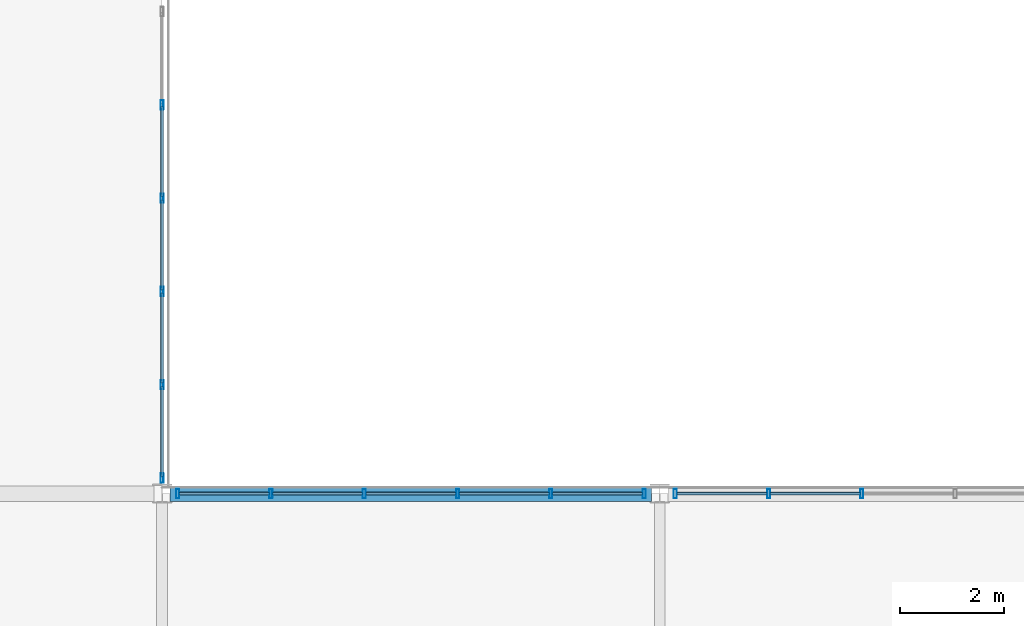
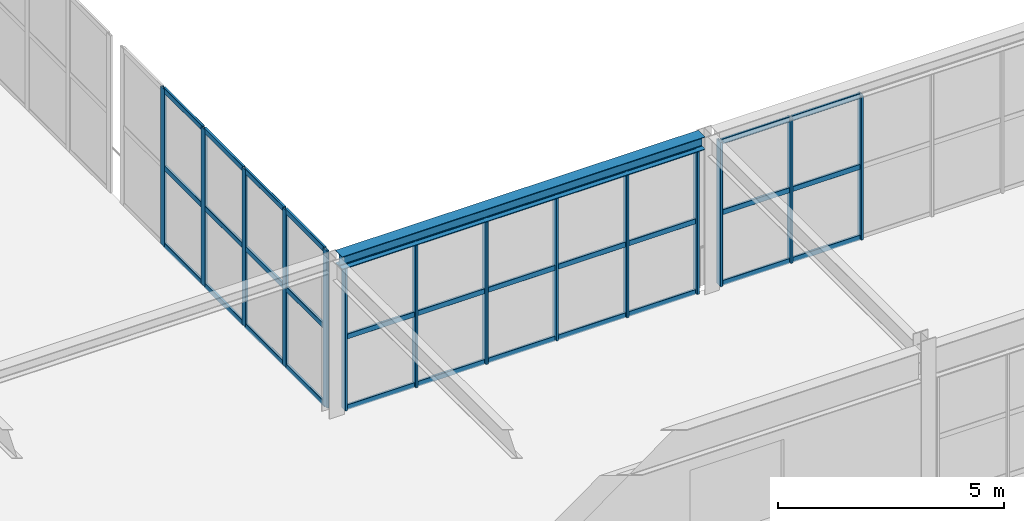
# One storey, part 58 of 170: 47 members, 1 beam, 3 elements without a shape of their own.
"""IFC4 building model written with IfcOpenShell, lengths in metres."""

from ifc_helpers import new_model, si_unit, direction, frame, origin, origin_2d, place, context, subcontext, project, spatial, hollow_rectangle, i_section, extrude, material, material_profile, profile_set, type_object, element, aggregate, save


model = new_model("IFC4")

# Units and contexts
model_context = context("Model", 3, precision=1e-05, world=origin(), true_north=direction((0.0, 1.0)))
body_context = subcontext(model_context, "Body", "Model", "MODEL_VIEW")
ifc_project = project(units=[si_unit("LENGTHUNIT", "METRE"), si_unit("AREAUNIT", "SQUARE_METRE"), si_unit("VOLUMEUNIT", "CUBIC_METRE"), si_unit("PLANEANGLEUNIT", "RADIAN"), si_unit("MASSUNIT", "GRAM", prefix="KILO")], contexts=[model_context])

# Site, building, storey
site_placement = place(None, origin())
site = spatial("IfcSite", under=ifc_project, at=site_placement, CompositionType="ELEMENT")
building_placement = place(site_placement, origin())
building = spatial("IfcBuilding", under=site, at=building_placement, Name="Coralgate Yard Interchange", CompositionType="ELEMENT")
storey_placement = place(building_placement, frame((0.0, 0.0, 6.0)))
storey = spatial("IfcBuildingStorey", under=building, at=storey_placement, Name="L01", CompositionType="ELEMENT", Elevation=6.0)

# Beam
ifc_material_1 = material(Name="Structural steel S355J2", Category="steel")
ifc_material_profile_1 = material_profile(ifc_material_1, i_section(OverallWidth=0.300048828125, OverallDepth=0.35009765625, WebThickness=0.010009765625, FlangeThickness=0.017578125, FilletRadius=0.027099609375, at=origin_2d()), Name="HEA 360")
ifc_profile_set_1 = profile_set([ifc_material_profile_1], Name="Structural steel S355J2")
beam_type = type_object("IfcBeamType", Name="BM-SP-1", PredefinedType="SPANDREL", material=ifc_profile_set_1)
beam_placement = place(storey_placement, frame((48.15625, 48.0, 4.074951171875), z_axis=(1.0, 0.0, 0.0), x_axis=(0.0, 1.0, 0.0)))
element("IfcBeam", 1, at=beam_placement, inside=storey, type_object=beam_type, Name="L01 primary grid beam Y5 X5-6", PredefinedType="SPANDREL", context=body_context, shape_type="SweptSolid", body=[
    extrude(i_section(OverallWidth=0.300048828125, OverallDepth=0.35009765625, WebThickness=0.010009765625, FlangeThickness=0.017578125, FilletRadius=0.027099609375, at=origin_2d()), origin(), (0.0, 0.0, 1.0), 9.287353515625),
])

# Curtain wall, members
ifc_material_2 = material(Name="Anodised coastal aluminium and solar-control low-E glass", Category="aluminium")
curtain_wall_type = type_object("IfcCurtainWallType", Name="CW-CW-L01-B", PredefinedType="NOTDEFINED", material=ifc_material_2)
curtain_wall_1_placement = place(storey_placement, origin())
curtain_wall_1 = element("IfcCurtainWall", 2, at=curtain_wall_1_placement, inside=storey, type_object=curtain_wall_type, Name="L01 unitised curtain wall CW-L01-E-04-05", PredefinedType="NOTDEFINED")
ifc_material_3 = material(Name="Anodised coastal aluminium 6063-T6", Category="aluminium")
ifc_material_profile_2 = material_profile(ifc_material_3, hollow_rectangle(XDim=0.06005859375, YDim=0.179931640625, WallThickness=0.00390625, InnerFilletRadius=0.00390625, OuterFilletRadius=0.008056640625, at=origin_2d()), Name="ALU 60x180x4")
ifc_profile_set_2 = profile_set([ifc_material_profile_2], Name="Anodised coastal aluminium 6063-T6")
member_type_1 = type_object("IfcMemberType", Name="MB-MUL-180", PredefinedType="MULLION", material=ifc_profile_set_2)
member_1_placement = place(storey_placement, frame((48.0, 55.5, 0.0), z_axis=(0.0, 0.0, 1.0), x_axis=(1.0, 0.0, 0.0)))
member_1 = element("IfcMember", 3, at=member_1_placement, type_object=member_type_1, Name="CW-L01-E-04-05 vertical mullion 2", PredefinedType="MULLION", context=body_context, shape_type="SweptSolid", body=[
    extrude(hollow_rectangle(XDim=0.06005859375, YDim=0.179931640625, WallThickness=0.00390625, InnerFilletRadius=0.00390625, OuterFilletRadius=0.008056640625, at=origin_2d()), origin(), (0.0, 0.0, 1.0), 4.25),
])
member_2_placement = place(storey_placement, frame((48.0, 53.699951171875, 0.0), z_axis=(0.0, 0.0, 1.0), x_axis=(1.0, 0.0, 0.0)))
member_2 = element("IfcMember", 4, at=member_2_placement, type_object=member_type_1, Name="CW-L01-E-04-05 vertical mullion 3", PredefinedType="MULLION", context=body_context, shape_type="SweptSolid", body=[
    extrude(hollow_rectangle(XDim=0.06005859375, YDim=0.179931640625, WallThickness=0.00390625, InnerFilletRadius=0.00390625, OuterFilletRadius=0.008056640625, at=origin_2d()), origin(), (0.0, 0.0, 1.0), 4.25),
])
member_3_placement = place(storey_placement, frame((48.0, 51.89990234375, 0.0), z_axis=(0.0, 0.0, 1.0), x_axis=(1.0, 0.0, 0.0)))
member_3 = element("IfcMember", 5, at=member_3_placement, type_object=member_type_1, Name="CW-L01-E-04-05 vertical mullion 4", PredefinedType="MULLION", context=body_context, shape_type="SweptSolid", body=[
    extrude(hollow_rectangle(XDim=0.06005859375, YDim=0.179931640625, WallThickness=0.00390625, InnerFilletRadius=0.00390625, OuterFilletRadius=0.008056640625, at=origin_2d()), origin(), (0.0, 0.0, 1.0), 4.25),
])
member_4_placement = place(storey_placement, frame((48.0, 50.10009765625, 0.0), z_axis=(0.0, 0.0, 1.0), x_axis=(1.0, 0.0, 0.0)))
member_4 = element("IfcMember", 6, at=member_4_placement, type_object=member_type_1, Name="CW-L01-E-04-05 vertical mullion 5", PredefinedType="MULLION", context=body_context, shape_type="SweptSolid", body=[
    extrude(hollow_rectangle(XDim=0.06005859375, YDim=0.179931640625, WallThickness=0.00390625, InnerFilletRadius=0.00390625, OuterFilletRadius=0.008056640625, at=origin_2d()), origin(), (0.0, 0.0, 1.0), 4.25),
])
member_5_placement = place(storey_placement, frame((48.0, 48.300048828125, 0.0), z_axis=(0.0, 0.0, 1.0), x_axis=(1.0, 0.0, 0.0)))
member_5 = element("IfcMember", 7, at=member_5_placement, type_object=member_type_1, Name="CW-L01-E-04-05 vertical mullion 6", PredefinedType="MULLION", context=body_context, shape_type="SweptSolid", body=[
    extrude(hollow_rectangle(XDim=0.06005859375, YDim=0.179931640625, WallThickness=0.00390625, InnerFilletRadius=0.00390625, OuterFilletRadius=0.008056640625, at=origin_2d()), origin(), (0.0, 0.0, 1.0), 4.25),
])

curtain_wall_2_placement = place(storey_placement, origin())
curtain_wall_2 = element("IfcCurtainWall", 8, at=curtain_wall_2_placement, inside=storey, type_object=curtain_wall_type, Name="L01 unitised curtain wall CW-L01-N-05-04", PredefinedType="NOTDEFINED")
member_6_placement = place(storey_placement, frame((48.300048828125, 48.0, 0.0), z_axis=(0.0, 0.0, 1.0), x_axis=(1.0, 0.0, 0.0)))
member_6 = element("IfcMember", 9, at=member_6_placement, type_object=member_type_1, Name="CW-L01-N-05-04 vertical mullion 1", PredefinedType="MULLION", context=body_context, shape_type="SweptSolid", body=[
    extrude(hollow_rectangle(XDim=0.06005859375, YDim=0.179931640625, WallThickness=0.00390625, InnerFilletRadius=0.00390625, OuterFilletRadius=0.008056640625, at=origin_2d()), origin(), (0.0, 0.0, 1.0), 3.89990234375),
])
member_7_placement = place(storey_placement, frame((50.10009765625, 48.0, 0.0), z_axis=(0.0, 0.0, 1.0), x_axis=(1.0, 0.0, 0.0)))
member_7 = element("IfcMember", 10, at=member_7_placement, type_object=member_type_1, Name="CW-L01-N-05-04 vertical mullion 2", PredefinedType="MULLION", context=body_context, shape_type="SweptSolid", body=[
    extrude(hollow_rectangle(XDim=0.06005859375, YDim=0.179931640625, WallThickness=0.00390625, InnerFilletRadius=0.00390625, OuterFilletRadius=0.008056640625, at=origin_2d()), origin(), (0.0, 0.0, 1.0), 3.89990234375),
])
member_8_placement = place(storey_placement, frame((51.89990234375, 48.0, 0.0), z_axis=(0.0, 0.0, 1.0), x_axis=(1.0, 0.0, 0.0)))
member_8 = element("IfcMember", 11, at=member_8_placement, type_object=member_type_1, Name="CW-L01-N-05-04 vertical mullion 3", PredefinedType="MULLION", context=body_context, shape_type="SweptSolid", body=[
    extrude(hollow_rectangle(XDim=0.06005859375, YDim=0.179931640625, WallThickness=0.00390625, InnerFilletRadius=0.00390625, OuterFilletRadius=0.008056640625, at=origin_2d()), origin(), (0.0, 0.0, 1.0), 3.89990234375),
])
member_9_placement = place(storey_placement, frame((53.699951171875, 48.0, 0.0), z_axis=(0.0, 0.0, 1.0), x_axis=(1.0, 0.0, 0.0)))
member_9 = element("IfcMember", 12, at=member_9_placement, type_object=member_type_1, Name="CW-L01-N-05-04 vertical mullion 4", PredefinedType="MULLION", context=body_context, shape_type="SweptSolid", body=[
    extrude(hollow_rectangle(XDim=0.06005859375, YDim=0.179931640625, WallThickness=0.00390625, InnerFilletRadius=0.00390625, OuterFilletRadius=0.008056640625, at=origin_2d()), origin(), (0.0, 0.0, 1.0), 3.89990234375),
])
member_10_placement = place(storey_placement, frame((55.5, 48.0, 0.0), z_axis=(0.0, 0.0, 1.0), x_axis=(1.0, 0.0, 0.0)))
member_10 = element("IfcMember", 13, at=member_10_placement, type_object=member_type_1, Name="CW-L01-N-05-04 vertical mullion 5", PredefinedType="MULLION", context=body_context, shape_type="SweptSolid", body=[
    extrude(hollow_rectangle(XDim=0.06005859375, YDim=0.179931640625, WallThickness=0.00390625, InnerFilletRadius=0.00390625, OuterFilletRadius=0.008056640625, at=origin_2d()), origin(), (0.0, 0.0, 1.0), 3.89990234375),
])
member_11_placement = place(storey_placement, frame((57.300048828125, 48.0, 0.0), z_axis=(0.0, 0.0, 1.0), x_axis=(1.0, 0.0, 0.0)))
member_11 = element("IfcMember", 14, at=member_11_placement, type_object=member_type_1, Name="CW-L01-N-05-04 vertical mullion 6", PredefinedType="MULLION", context=body_context, shape_type="SweptSolid", body=[
    extrude(hollow_rectangle(XDim=0.06005859375, YDim=0.179931640625, WallThickness=0.00390625, InnerFilletRadius=0.00390625, OuterFilletRadius=0.008056640625, at=origin_2d()), origin(), (0.0, 0.0, 1.0), 3.89990234375),
])

curtain_wall_3_placement = place(storey_placement, origin())
curtain_wall_3 = element("IfcCurtainWall", 15, at=curtain_wall_3_placement, inside=storey, type_object=curtain_wall_type, Name="L01 unitised curtain wall CW-L01-N-06-04", PredefinedType="NOTDEFINED")
member_12_placement = place(storey_placement, frame((57.89990234375, 48.0, 0.0), z_axis=(0.0, 0.0, 1.0), x_axis=(1.0, 0.0, 0.0)))
member_12 = element("IfcMember", 16, at=member_12_placement, type_object=member_type_1, Name="CW-L01-N-06-04 vertical mullion 1", PredefinedType="MULLION", context=body_context, shape_type="SweptSolid", body=[
    extrude(hollow_rectangle(XDim=0.06005859375, YDim=0.179931640625, WallThickness=0.00390625, InnerFilletRadius=0.00390625, OuterFilletRadius=0.008056640625, at=origin_2d()), origin(), (0.0, 0.0, 1.0), 3.89990234375),
])
member_13_placement = place(storey_placement, frame((59.699951171875, 48.0, 0.0), z_axis=(0.0, 0.0, 1.0), x_axis=(1.0, 0.0, 0.0)))
member_13 = element("IfcMember", 17, at=member_13_placement, type_object=member_type_1, Name="CW-L01-N-06-04 vertical mullion 2", PredefinedType="MULLION", context=body_context, shape_type="SweptSolid", body=[
    extrude(hollow_rectangle(XDim=0.06005859375, YDim=0.179931640625, WallThickness=0.00390625, InnerFilletRadius=0.00390625, OuterFilletRadius=0.008056640625, at=origin_2d()), origin(), (0.0, 0.0, 1.0), 3.89990234375),
])
member_14_placement = place(storey_placement, frame((61.5, 48.0, 0.0), z_axis=(0.0, 0.0, 1.0), x_axis=(1.0, 0.0, 0.0)))
member_14 = element("IfcMember", 18, at=member_14_placement, type_object=member_type_1, Name="CW-L01-N-06-04 vertical mullion 3", PredefinedType="MULLION", context=body_context, shape_type="SweptSolid", body=[
    extrude(hollow_rectangle(XDim=0.06005859375, YDim=0.179931640625, WallThickness=0.00390625, InnerFilletRadius=0.00390625, OuterFilletRadius=0.008056640625, at=origin_2d()), origin(), (0.0, 0.0, 1.0), 3.89990234375),
])

# Member
ifc_material_profile_3 = material_profile(ifc_material_3, hollow_rectangle(XDim=0.06005859375, YDim=0.139892578125, WallThickness=0.00341796875, InnerFilletRadius=0.00341796875, OuterFilletRadius=0.007080078125, at=origin_2d()), Name="ALU 60x140x3.5")
ifc_profile_set_3 = profile_set([ifc_material_profile_3], Name="Anodised coastal aluminium 6063-T6")
member_type_2 = type_object("IfcMemberType", Name="MB-TRN-140", PredefinedType="USERDEFINED", material=ifc_profile_set_3)
member_15_placement = place(storey_placement, frame((48.0, 55.469970703125, 0.034912109375), z_axis=(0.0, -1.0, 0.0), x_axis=(1.0, 0.0, 0.0)))
member_15 = element("IfcMember", 19, at=member_15_placement, type_object=member_type_2, Name="CW-L01-E-04-05 horizontal transom 2-1", ObjectType="TRANSOM", PredefinedType="USERDEFINED", context=body_context, shape_type="SweptSolid", body=[
    extrude(hollow_rectangle(XDim=0.06005859375, YDim=0.139892578125, WallThickness=0.00341796875, InnerFilletRadius=0.00341796875, OuterFilletRadius=0.007080078125, at=origin_2d()), origin(), (0.0, 0.0, 1.0), 1.739990234375),
])

member_16_placement = place(storey_placement, frame((48.0, 55.469970703125, 2.125), z_axis=(0.0, -1.0, 0.0), x_axis=(1.0, 0.0, 0.0)))
member_16 = element("IfcMember", 20, at=member_16_placement, type_object=member_type_2, Name="CW-L01-E-04-05 horizontal transom 2-2", ObjectType="TRANSOM", PredefinedType="USERDEFINED", context=body_context, shape_type="SweptSolid", body=[
    extrude(hollow_rectangle(XDim=0.06005859375, YDim=0.139892578125, WallThickness=0.00341796875, InnerFilletRadius=0.00341796875, OuterFilletRadius=0.007080078125, at=origin_2d()), origin(), (0.0, 0.0, 1.0), 1.739990234375),
])

member_17_placement = place(storey_placement, frame((48.0, 55.469970703125, 4.215087890625), z_axis=(0.0, -1.0, 0.0), x_axis=(1.0, 0.0, 0.0)))
member_17 = element("IfcMember", 21, at=member_17_placement, type_object=member_type_2, Name="CW-L01-E-04-05 horizontal transom 2-3", ObjectType="TRANSOM", PredefinedType="USERDEFINED", context=body_context, shape_type="SweptSolid", body=[
    extrude(hollow_rectangle(XDim=0.06005859375, YDim=0.139892578125, WallThickness=0.00341796875, InnerFilletRadius=0.00341796875, OuterFilletRadius=0.007080078125, at=origin_2d()), origin(), (0.0, 0.0, 1.0), 1.739990234375),
])

member_18_placement = place(storey_placement, frame((48.0, 53.669921875, 0.034912109375), z_axis=(0.0, -1.0, 0.0), x_axis=(1.0, 0.0, 0.0)))
member_18 = element("IfcMember", 22, at=member_18_placement, type_object=member_type_2, Name="CW-L01-E-04-05 horizontal transom 3-1", ObjectType="TRANSOM", PredefinedType="USERDEFINED", context=body_context, shape_type="SweptSolid", body=[
    extrude(hollow_rectangle(XDim=0.06005859375, YDim=0.139892578125, WallThickness=0.00341796875, InnerFilletRadius=0.00341796875, OuterFilletRadius=0.007080078125, at=origin_2d()), origin(), (0.0, 0.0, 1.0), 1.739990234375),
])

member_19_placement = place(storey_placement, frame((48.0, 53.669921875, 2.125), z_axis=(0.0, -1.0, 0.0), x_axis=(1.0, 0.0, 0.0)))
member_19 = element("IfcMember", 23, at=member_19_placement, type_object=member_type_2, Name="CW-L01-E-04-05 horizontal transom 3-2", ObjectType="TRANSOM", PredefinedType="USERDEFINED", context=body_context, shape_type="SweptSolid", body=[
    extrude(hollow_rectangle(XDim=0.06005859375, YDim=0.139892578125, WallThickness=0.00341796875, InnerFilletRadius=0.00341796875, OuterFilletRadius=0.007080078125, at=origin_2d()), origin(), (0.0, 0.0, 1.0), 1.739990234375),
])

member_20_placement = place(storey_placement, frame((48.0, 53.669921875, 4.215087890625), z_axis=(0.0, -1.0, 0.0), x_axis=(1.0, 0.0, 0.0)))
member_20 = element("IfcMember", 24, at=member_20_placement, type_object=member_type_2, Name="CW-L01-E-04-05 horizontal transom 3-3", ObjectType="TRANSOM", PredefinedType="USERDEFINED", context=body_context, shape_type="SweptSolid", body=[
    extrude(hollow_rectangle(XDim=0.06005859375, YDim=0.139892578125, WallThickness=0.00341796875, InnerFilletRadius=0.00341796875, OuterFilletRadius=0.007080078125, at=origin_2d()), origin(), (0.0, 0.0, 1.0), 1.739990234375),
])

member_21_placement = place(storey_placement, frame((48.0, 51.8701171875, 0.034912109375), z_axis=(0.0, -1.0, 0.0), x_axis=(1.0, 0.0, 0.0)))
member_21 = element("IfcMember", 25, at=member_21_placement, type_object=member_type_2, Name="CW-L01-E-04-05 horizontal transom 4-1", ObjectType="TRANSOM", PredefinedType="USERDEFINED", context=body_context, shape_type="SweptSolid", body=[
    extrude(hollow_rectangle(XDim=0.06005859375, YDim=0.139892578125, WallThickness=0.00341796875, InnerFilletRadius=0.00341796875, OuterFilletRadius=0.007080078125, at=origin_2d()), origin(), (0.0, 0.0, 1.0), 1.740234375),
])

member_22_placement = place(storey_placement, frame((48.0, 51.8701171875, 2.125), z_axis=(0.0, -1.0, 0.0), x_axis=(1.0, 0.0, 0.0)))
member_22 = element("IfcMember", 26, at=member_22_placement, type_object=member_type_2, Name="CW-L01-E-04-05 horizontal transom 4-2", ObjectType="TRANSOM", PredefinedType="USERDEFINED", context=body_context, shape_type="SweptSolid", body=[
    extrude(hollow_rectangle(XDim=0.06005859375, YDim=0.139892578125, WallThickness=0.00341796875, InnerFilletRadius=0.00341796875, OuterFilletRadius=0.007080078125, at=origin_2d()), origin(), (0.0, 0.0, 1.0), 1.740234375),
])

member_23_placement = place(storey_placement, frame((48.0, 51.8701171875, 4.215087890625), z_axis=(0.0, -1.0, 0.0), x_axis=(1.0, 0.0, 0.0)))
member_23 = element("IfcMember", 27, at=member_23_placement, type_object=member_type_2, Name="CW-L01-E-04-05 horizontal transom 4-3", ObjectType="TRANSOM", PredefinedType="USERDEFINED", context=body_context, shape_type="SweptSolid", body=[
    extrude(hollow_rectangle(XDim=0.06005859375, YDim=0.139892578125, WallThickness=0.00341796875, InnerFilletRadius=0.00341796875, OuterFilletRadius=0.007080078125, at=origin_2d()), origin(), (0.0, 0.0, 1.0), 1.740234375),
])

member_24_placement = place(storey_placement, frame((48.0, 50.070068359375, 0.034912109375), z_axis=(0.0, -1.0, 0.0), x_axis=(1.0, 0.0, 0.0)))
member_24 = element("IfcMember", 28, at=member_24_placement, type_object=member_type_2, Name="CW-L01-E-04-05 horizontal transom 5-1", ObjectType="TRANSOM", PredefinedType="USERDEFINED", context=body_context, shape_type="SweptSolid", body=[
    extrude(hollow_rectangle(XDim=0.06005859375, YDim=0.139892578125, WallThickness=0.00341796875, InnerFilletRadius=0.00341796875, OuterFilletRadius=0.007080078125, at=origin_2d()), origin(), (0.0, 0.0, 1.0), 1.739990234375),
])

member_25_placement = place(storey_placement, frame((48.0, 50.070068359375, 2.125), z_axis=(0.0, -1.0, 0.0), x_axis=(1.0, 0.0, 0.0)))
member_25 = element("IfcMember", 29, at=member_25_placement, type_object=member_type_2, Name="CW-L01-E-04-05 horizontal transom 5-2", ObjectType="TRANSOM", PredefinedType="USERDEFINED", context=body_context, shape_type="SweptSolid", body=[
    extrude(hollow_rectangle(XDim=0.06005859375, YDim=0.139892578125, WallThickness=0.00341796875, InnerFilletRadius=0.00341796875, OuterFilletRadius=0.007080078125, at=origin_2d()), origin(), (0.0, 0.0, 1.0), 1.739990234375),
])

member_26_placement = place(storey_placement, frame((48.0, 50.070068359375, 4.215087890625), z_axis=(0.0, -1.0, 0.0), x_axis=(1.0, 0.0, 0.0)))
member_26 = element("IfcMember", 30, at=member_26_placement, type_object=member_type_2, Name="CW-L01-E-04-05 horizontal transom 5-3", ObjectType="TRANSOM", PredefinedType="USERDEFINED", context=body_context, shape_type="SweptSolid", body=[
    extrude(hollow_rectangle(XDim=0.06005859375, YDim=0.139892578125, WallThickness=0.00341796875, InnerFilletRadius=0.00341796875, OuterFilletRadius=0.007080078125, at=origin_2d()), origin(), (0.0, 0.0, 1.0), 1.739990234375),
])

aggregate(curtain_wall_1, [member_1, member_2, member_3, member_4, member_5, member_15, member_16, member_17, member_18, member_19, member_20, member_21, member_22, member_23, member_24, member_25, member_26])

member_27_placement = place(storey_placement, frame((48.330078125, 48.0, 0.034912109375), z_axis=(1.0, 0.0, 0.0), x_axis=(0.0, 1.0, 0.0)))
member_27 = element("IfcMember", 31, at=member_27_placement, type_object=member_type_2, Name="CW-L01-N-05-04 horizontal transom 1-1", ObjectType="TRANSOM", PredefinedType="USERDEFINED", context=body_context, shape_type="SweptSolid", body=[
    extrude(hollow_rectangle(XDim=0.06005859375, YDim=0.139892578125, WallThickness=0.00341796875, InnerFilletRadius=0.00341796875, OuterFilletRadius=0.007080078125, at=origin_2d()), origin(), (0.0, 0.0, 1.0), 1.739990234375),
])

member_28_placement = place(storey_placement, frame((48.330078125, 48.0, 1.949951171875), z_axis=(1.0, 0.0, 0.0), x_axis=(0.0, 1.0, 0.0)))
member_28 = element("IfcMember", 32, at=member_28_placement, type_object=member_type_2, Name="CW-L01-N-05-04 horizontal transom 1-2", ObjectType="TRANSOM", PredefinedType="USERDEFINED", context=body_context, shape_type="SweptSolid", body=[
    extrude(hollow_rectangle(XDim=0.06005859375, YDim=0.139892578125, WallThickness=0.00341796875, InnerFilletRadius=0.00341796875, OuterFilletRadius=0.007080078125, at=origin_2d()), origin(), (0.0, 0.0, 1.0), 1.739990234375),
])

member_29_placement = place(storey_placement, frame((48.330078125, 48.0, 3.864990234375), z_axis=(1.0, 0.0, 0.0), x_axis=(0.0, 1.0, 0.0)))
member_29 = element("IfcMember", 33, at=member_29_placement, type_object=member_type_2, Name="CW-L01-N-05-04 horizontal transom 1-3", ObjectType="TRANSOM", PredefinedType="USERDEFINED", context=body_context, shape_type="SweptSolid", body=[
    extrude(hollow_rectangle(XDim=0.06005859375, YDim=0.139892578125, WallThickness=0.00341796875, InnerFilletRadius=0.00341796875, OuterFilletRadius=0.007080078125, at=origin_2d()), origin(), (0.0, 0.0, 1.0), 1.739990234375),
])

member_30_placement = place(storey_placement, frame((50.1298828125, 48.0, 0.034912109375), z_axis=(1.0, 0.0, 0.0), x_axis=(0.0, 1.0, 0.0)))
member_30 = element("IfcMember", 34, at=member_30_placement, type_object=member_type_2, Name="CW-L01-N-05-04 horizontal transom 2-1", ObjectType="TRANSOM", PredefinedType="USERDEFINED", context=body_context, shape_type="SweptSolid", body=[
    extrude(hollow_rectangle(XDim=0.06005859375, YDim=0.139892578125, WallThickness=0.00341796875, InnerFilletRadius=0.00341796875, OuterFilletRadius=0.007080078125, at=origin_2d()), origin(), (0.0, 0.0, 1.0), 1.740234375),
])

member_31_placement = place(storey_placement, frame((50.1298828125, 48.0, 1.949951171875), z_axis=(1.0, 0.0, 0.0), x_axis=(0.0, 1.0, 0.0)))
member_31 = element("IfcMember", 35, at=member_31_placement, type_object=member_type_2, Name="CW-L01-N-05-04 horizontal transom 2-2", ObjectType="TRANSOM", PredefinedType="USERDEFINED", context=body_context, shape_type="SweptSolid", body=[
    extrude(hollow_rectangle(XDim=0.06005859375, YDim=0.139892578125, WallThickness=0.00341796875, InnerFilletRadius=0.00341796875, OuterFilletRadius=0.007080078125, at=origin_2d()), origin(), (0.0, 0.0, 1.0), 1.740234375),
])

member_32_placement = place(storey_placement, frame((50.1298828125, 48.0, 3.864990234375), z_axis=(1.0, 0.0, 0.0), x_axis=(0.0, 1.0, 0.0)))
member_32 = element("IfcMember", 36, at=member_32_placement, type_object=member_type_2, Name="CW-L01-N-05-04 horizontal transom 2-3", ObjectType="TRANSOM", PredefinedType="USERDEFINED", context=body_context, shape_type="SweptSolid", body=[
    extrude(hollow_rectangle(XDim=0.06005859375, YDim=0.139892578125, WallThickness=0.00341796875, InnerFilletRadius=0.00341796875, OuterFilletRadius=0.007080078125, at=origin_2d()), origin(), (0.0, 0.0, 1.0), 1.740234375),
])

member_33_placement = place(storey_placement, frame((51.929931640625, 48.0, 0.034912109375), z_axis=(1.0, 0.0, 0.0), x_axis=(0.0, 1.0, 0.0)))
member_33 = element("IfcMember", 37, at=member_33_placement, type_object=member_type_2, Name="CW-L01-N-05-04 horizontal transom 3-1", ObjectType="TRANSOM", PredefinedType="USERDEFINED", context=body_context, shape_type="SweptSolid", body=[
    extrude(hollow_rectangle(XDim=0.06005859375, YDim=0.139892578125, WallThickness=0.00341796875, InnerFilletRadius=0.00341796875, OuterFilletRadius=0.007080078125, at=origin_2d()), origin(), (0.0, 0.0, 1.0), 1.739990234375),
])

member_34_placement = place(storey_placement, frame((51.929931640625, 48.0, 1.949951171875), z_axis=(1.0, 0.0, 0.0), x_axis=(0.0, 1.0, 0.0)))
member_34 = element("IfcMember", 38, at=member_34_placement, type_object=member_type_2, Name="CW-L01-N-05-04 horizontal transom 3-2", ObjectType="TRANSOM", PredefinedType="USERDEFINED", context=body_context, shape_type="SweptSolid", body=[
    extrude(hollow_rectangle(XDim=0.06005859375, YDim=0.139892578125, WallThickness=0.00341796875, InnerFilletRadius=0.00341796875, OuterFilletRadius=0.007080078125, at=origin_2d()), origin(), (0.0, 0.0, 1.0), 1.739990234375),
])

member_35_placement = place(storey_placement, frame((51.929931640625, 48.0, 3.864990234375), z_axis=(1.0, 0.0, 0.0), x_axis=(0.0, 1.0, 0.0)))
member_35 = element("IfcMember", 39, at=member_35_placement, type_object=member_type_2, Name="CW-L01-N-05-04 horizontal transom 3-3", ObjectType="TRANSOM", PredefinedType="USERDEFINED", context=body_context, shape_type="SweptSolid", body=[
    extrude(hollow_rectangle(XDim=0.06005859375, YDim=0.139892578125, WallThickness=0.00341796875, InnerFilletRadius=0.00341796875, OuterFilletRadius=0.007080078125, at=origin_2d()), origin(), (0.0, 0.0, 1.0), 1.739990234375),
])

member_36_placement = place(storey_placement, frame((53.72998046875, 48.0, 0.034912109375), z_axis=(1.0, 0.0, 0.0), x_axis=(0.0, 1.0, 0.0)))
member_36 = element("IfcMember", 40, at=member_36_placement, type_object=member_type_2, Name="CW-L01-N-05-04 horizontal transom 4-1", ObjectType="TRANSOM", PredefinedType="USERDEFINED", context=body_context, shape_type="SweptSolid", body=[
    extrude(hollow_rectangle(XDim=0.06005859375, YDim=0.139892578125, WallThickness=0.00341796875, InnerFilletRadius=0.00341796875, OuterFilletRadius=0.007080078125, at=origin_2d()), origin(), (0.0, 0.0, 1.0), 1.739990234375),
])

member_37_placement = place(storey_placement, frame((53.72998046875, 48.0, 1.949951171875), z_axis=(1.0, 0.0, 0.0), x_axis=(0.0, 1.0, 0.0)))
member_37 = element("IfcMember", 41, at=member_37_placement, type_object=member_type_2, Name="CW-L01-N-05-04 horizontal transom 4-2", ObjectType="TRANSOM", PredefinedType="USERDEFINED", context=body_context, shape_type="SweptSolid", body=[
    extrude(hollow_rectangle(XDim=0.06005859375, YDim=0.139892578125, WallThickness=0.00341796875, InnerFilletRadius=0.00341796875, OuterFilletRadius=0.007080078125, at=origin_2d()), origin(), (0.0, 0.0, 1.0), 1.739990234375),
])

member_38_placement = place(storey_placement, frame((53.72998046875, 48.0, 3.864990234375), z_axis=(1.0, 0.0, 0.0), x_axis=(0.0, 1.0, 0.0)))
member_38 = element("IfcMember", 42, at=member_38_placement, type_object=member_type_2, Name="CW-L01-N-05-04 horizontal transom 4-3", ObjectType="TRANSOM", PredefinedType="USERDEFINED", context=body_context, shape_type="SweptSolid", body=[
    extrude(hollow_rectangle(XDim=0.06005859375, YDim=0.139892578125, WallThickness=0.00341796875, InnerFilletRadius=0.00341796875, OuterFilletRadius=0.007080078125, at=origin_2d()), origin(), (0.0, 0.0, 1.0), 1.739990234375),
])

member_39_placement = place(storey_placement, frame((55.530029296875, 48.0, 0.034912109375), z_axis=(1.0, 0.0, 0.0), x_axis=(0.0, 1.0, 0.0)))
member_39 = element("IfcMember", 43, at=member_39_placement, type_object=member_type_2, Name="CW-L01-N-05-04 horizontal transom 5-1", ObjectType="TRANSOM", PredefinedType="USERDEFINED", context=body_context, shape_type="SweptSolid", body=[
    extrude(hollow_rectangle(XDim=0.06005859375, YDim=0.139892578125, WallThickness=0.00341796875, InnerFilletRadius=0.00341796875, OuterFilletRadius=0.007080078125, at=origin_2d()), origin(), (0.0, 0.0, 1.0), 1.739990234375),
])

member_40_placement = place(storey_placement, frame((55.530029296875, 48.0, 1.949951171875), z_axis=(1.0, 0.0, 0.0), x_axis=(0.0, 1.0, 0.0)))
member_40 = element("IfcMember", 44, at=member_40_placement, type_object=member_type_2, Name="CW-L01-N-05-04 horizontal transom 5-2", ObjectType="TRANSOM", PredefinedType="USERDEFINED", context=body_context, shape_type="SweptSolid", body=[
    extrude(hollow_rectangle(XDim=0.06005859375, YDim=0.139892578125, WallThickness=0.00341796875, InnerFilletRadius=0.00341796875, OuterFilletRadius=0.007080078125, at=origin_2d()), origin(), (0.0, 0.0, 1.0), 1.739990234375),
])

member_41_placement = place(storey_placement, frame((55.530029296875, 48.0, 3.864990234375), z_axis=(1.0, 0.0, 0.0), x_axis=(0.0, 1.0, 0.0)))
member_41 = element("IfcMember", 45, at=member_41_placement, type_object=member_type_2, Name="CW-L01-N-05-04 horizontal transom 5-3", ObjectType="TRANSOM", PredefinedType="USERDEFINED", context=body_context, shape_type="SweptSolid", body=[
    extrude(hollow_rectangle(XDim=0.06005859375, YDim=0.139892578125, WallThickness=0.00341796875, InnerFilletRadius=0.00341796875, OuterFilletRadius=0.007080078125, at=origin_2d()), origin(), (0.0, 0.0, 1.0), 1.739990234375),
])

aggregate(curtain_wall_2, [member_6, member_7, member_8, member_9, member_10, member_11, member_27, member_28, member_29, member_30, member_31, member_32, member_33, member_34, member_35, member_36, member_37, member_38, member_39, member_40, member_41])

member_42_placement = place(storey_placement, frame((57.929931640625, 48.0, 0.034912109375), z_axis=(1.0, 0.0, 0.0), x_axis=(0.0, 1.0, 0.0)))
member_42 = element("IfcMember", 46, at=member_42_placement, type_object=member_type_2, Name="CW-L01-N-06-04 horizontal transom 1-1", ObjectType="TRANSOM", PredefinedType="USERDEFINED", context=body_context, shape_type="SweptSolid", body=[
    extrude(hollow_rectangle(XDim=0.06005859375, YDim=0.139892578125, WallThickness=0.00341796875, InnerFilletRadius=0.00341796875, OuterFilletRadius=0.007080078125, at=origin_2d()), origin(), (0.0, 0.0, 1.0), 1.739990234375),
])

member_43_placement = place(storey_placement, frame((57.929931640625, 48.0, 1.949951171875), z_axis=(1.0, 0.0, 0.0), x_axis=(0.0, 1.0, 0.0)))
member_43 = element("IfcMember", 47, at=member_43_placement, type_object=member_type_2, Name="CW-L01-N-06-04 horizontal transom 1-2", ObjectType="TRANSOM", PredefinedType="USERDEFINED", context=body_context, shape_type="SweptSolid", body=[
    extrude(hollow_rectangle(XDim=0.06005859375, YDim=0.139892578125, WallThickness=0.00341796875, InnerFilletRadius=0.00341796875, OuterFilletRadius=0.007080078125, at=origin_2d()), origin(), (0.0, 0.0, 1.0), 1.739990234375),
])

member_44_placement = place(storey_placement, frame((57.929931640625, 48.0, 3.864990234375), z_axis=(1.0, 0.0, 0.0), x_axis=(0.0, 1.0, 0.0)))
member_44 = element("IfcMember", 48, at=member_44_placement, type_object=member_type_2, Name="CW-L01-N-06-04 horizontal transom 1-3", ObjectType="TRANSOM", PredefinedType="USERDEFINED", context=body_context, shape_type="SweptSolid", body=[
    extrude(hollow_rectangle(XDim=0.06005859375, YDim=0.139892578125, WallThickness=0.00341796875, InnerFilletRadius=0.00341796875, OuterFilletRadius=0.007080078125, at=origin_2d()), origin(), (0.0, 0.0, 1.0), 1.739990234375),
])

member_45_placement = place(storey_placement, frame((59.72998046875, 48.0, 0.034912109375), z_axis=(1.0, 0.0, 0.0), x_axis=(0.0, 1.0, 0.0)))
member_45 = element("IfcMember", 49, at=member_45_placement, type_object=member_type_2, Name="CW-L01-N-06-04 horizontal transom 2-1", ObjectType="TRANSOM", PredefinedType="USERDEFINED", context=body_context, shape_type="SweptSolid", body=[
    extrude(hollow_rectangle(XDim=0.06005859375, YDim=0.139892578125, WallThickness=0.00341796875, InnerFilletRadius=0.00341796875, OuterFilletRadius=0.007080078125, at=origin_2d()), origin(), (0.0, 0.0, 1.0), 1.739990234375),
])

member_46_placement = place(storey_placement, frame((59.72998046875, 48.0, 1.949951171875), z_axis=(1.0, 0.0, 0.0), x_axis=(0.0, 1.0, 0.0)))
member_46 = element("IfcMember", 50, at=member_46_placement, type_object=member_type_2, Name="CW-L01-N-06-04 horizontal transom 2-2", ObjectType="TRANSOM", PredefinedType="USERDEFINED", context=body_context, shape_type="SweptSolid", body=[
    extrude(hollow_rectangle(XDim=0.06005859375, YDim=0.139892578125, WallThickness=0.00341796875, InnerFilletRadius=0.00341796875, OuterFilletRadius=0.007080078125, at=origin_2d()), origin(), (0.0, 0.0, 1.0), 1.739990234375),
])

member_47_placement = place(storey_placement, frame((59.72998046875, 48.0, 3.864990234375), z_axis=(1.0, 0.0, 0.0), x_axis=(0.0, 1.0, 0.0)))
member_47 = element("IfcMember", 51, at=member_47_placement, type_object=member_type_2, Name="CW-L01-N-06-04 horizontal transom 2-3", ObjectType="TRANSOM", PredefinedType="USERDEFINED", context=body_context, shape_type="SweptSolid", body=[
    extrude(hollow_rectangle(XDim=0.06005859375, YDim=0.139892578125, WallThickness=0.00341796875, InnerFilletRadius=0.00341796875, OuterFilletRadius=0.007080078125, at=origin_2d()), origin(), (0.0, 0.0, 1.0), 1.739990234375),
])

aggregate(curtain_wall_3, [member_12, member_13, member_14, member_42, member_43, member_44, member_45, member_46, member_47])

save(model, "model.ifc")
